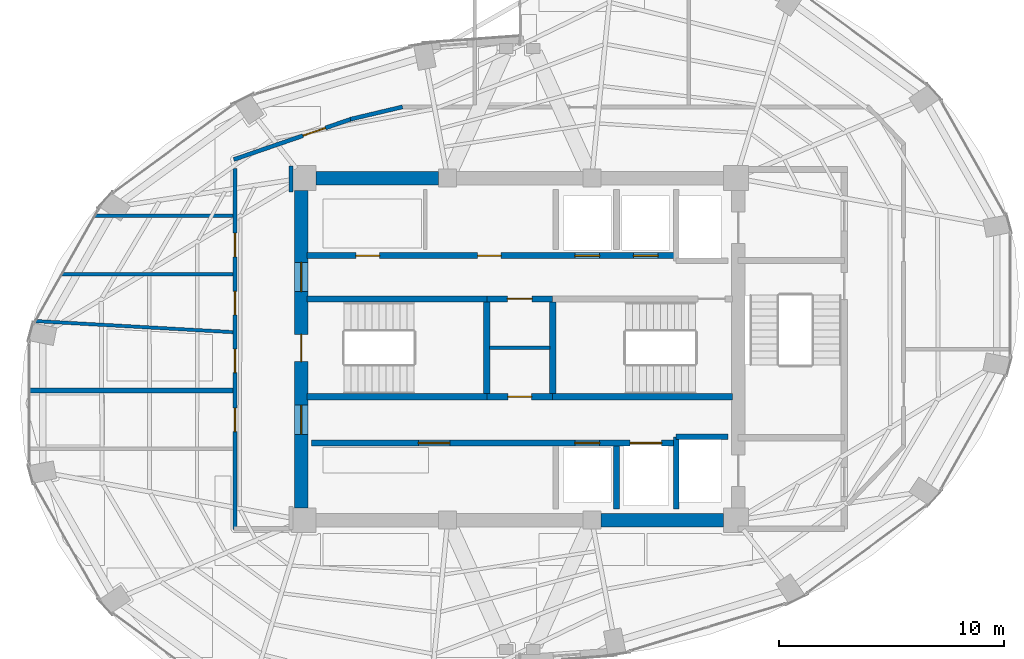
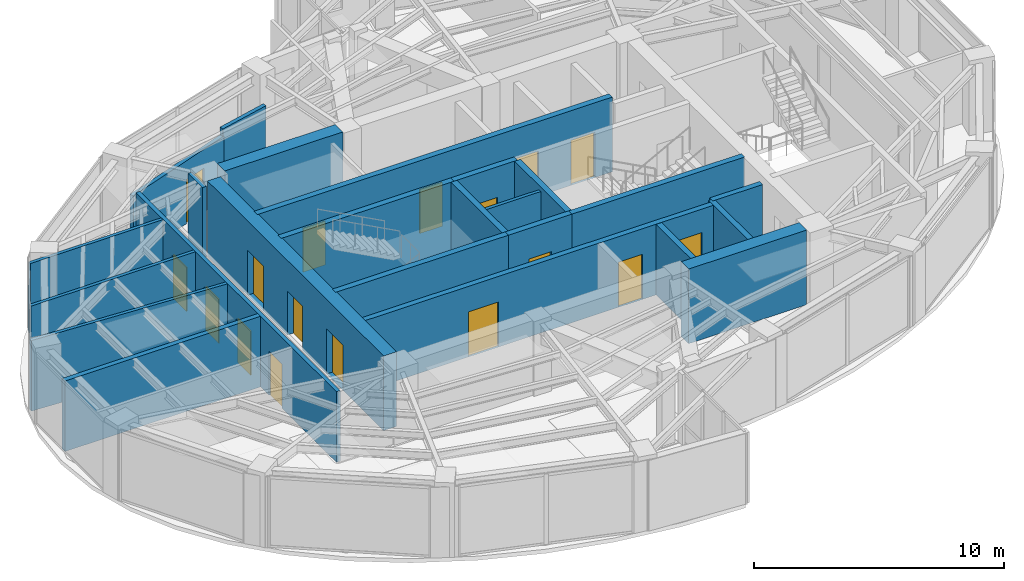
# One storey, part 19 of 23: 24 walls, 17 doors, 17 openings.
"""IFC4 building model written with IfcOpenShell, lengths in metres."""

from ifc_helpers import new_model, si_unit, direction, frame, frame_2d, origin, place, context, subcontext, project, spatial, rectangle, extrude, material, layer, layer_set, type_object, element, fill, save


model = new_model("IFC4")

# Units and contexts
model_context = context("Model", 3, precision=1e-05, world=origin(), true_north=direction((0.0, 1.0)))
body_context = subcontext(model_context, "Body", "Model", "MODEL_VIEW")
ifc_project = project(units=[si_unit("LENGTHUNIT", "METRE"), si_unit("AREAUNIT", "SQUARE_METRE"), si_unit("VOLUMEUNIT", "CUBIC_METRE"), si_unit("PLANEANGLEUNIT", "RADIAN"), si_unit("MASSUNIT", "GRAM", prefix="KILO")], contexts=[model_context])

# Site, building, storey
site_placement = place(None, origin())
site = spatial("IfcSite", under=ifc_project, at=site_placement, CompositionType="ELEMENT")
building_placement = place(site_placement, origin())
building = spatial("IfcBuilding", under=site, at=building_placement, Name="Lazwardi Medical Tower", CompositionType="ELEMENT")
storey_placement = place(building_placement, frame((0.0, 0.0, 205.77587890625)))
storey = spatial("IfcBuildingStorey", under=building, at=storey_placement, Name="L53", CompositionType="ELEMENT", Elevation=205.77587890625)

# Wall, opening, door
ifc_material_1 = material(Name="Fire-rated gypsum board on steel stud", Category="steel")
ifc_layer_1 = layer(ifc_material_1, 0.179931640625)
ifc_layer_set_1 = layer_set([ifc_layer_1], Name="Fire-rated gypsum board on steel stud")
wall_type_1 = type_object("IfcWallType", Name="WL-COR-180", PredefinedType="PARTITIONING", material=ifc_layer_set_1)
wall_1_placement = place(storey_placement, frame((23.294189453125, 36.422119140625, 0.0), z_axis=(0.0, 0.0, 1.0), x_axis=(0.945493277461, 0.325641616316, 0.0)))
wall_1 = element("IfcWall", 1, at=wall_1_placement, inside=storey, type_object=wall_type_1, Name="L53 Corridor partition 1", PredefinedType="PARTITIONING", context=body_context, shape_type="SweptSolid", body=[
    extrude(rectangle(XDim=5.5615234375, YDim=0.179931640625, at=frame_2d((2.78076171875, 0.0))), origin(), (0.0, 0.0, 1.0), 3.0732421875),
])
opening_1_placement = place(wall_1_placement, frame((3.255859375, 0.0, 0.0)))
opening_1 = element("IfcOpeningElement", 2, at=opening_1_placement, cuts=wall_1, Name="Opening D-L53-015", PredefinedType="OPENING", context=body_context, shape_type="SweptSolid", body=[
    extrude(rectangle(XDim=1.050048828125, YDim=2.14990234375, at=frame_2d((0.52490234375, 1.074951171875))), frame((0.0, 0.099853515625, 0.0), z_axis=(0.0, -1.0, 0.0), x_axis=(1.0, 0.0, 0.0)), (0.0, 0.0, 1.0), 0.199951171875),
])
ifc_material_2 = material(Name="Anti-microbial laminate hospital leaf")
door_type_1 = type_object("IfcDoorType", Name="DR-CLN-1050", OperationType="NOTDEFINED", PredefinedType="DOOR", material=ifc_material_2)
door_1_placement = place(opening_1_placement, origin())
door_1 = element("IfcDoor", 3, at=door_1_placement, inside=storey, type_object=door_type_1, Name="L53 Outpatient Consultation Suite Door 06", OperationType="SINGLE_SWING_RIGHT", OverallHeight=2.14990234375, OverallWidth=1.050048828125, PredefinedType="DOOR", context=body_context, shape_type="SweptSolid", body=[
    extrude(rectangle(XDim=1.050048828125, YDim=2.14990234375, at=frame_2d((0.52490234375, 1.074951171875))), frame((0.0, 0.02490234375, 0.0), z_axis=(0.0, -1.0, 0.0), x_axis=(1.0, 0.0, 0.0)), (0.0, 0.0, 1.0), 0.050048828125),
])
fill(opening_1, door_1)

# Walls
wall_2_placement = place(storey_placement, frame((28.475830078125, 38.2109375, 0.0), z_axis=(0.0, 0.0, 1.0), x_axis=(0.973030562203, 0.230676234189, 0.0)))
element("IfcWall", 4, at=wall_2_placement, inside=storey, type_object=wall_type_1, Name="L53 Corridor partition 2", PredefinedType="PARTITIONING", context=body_context, shape_type="SweptSolid", body=[
    extrude(rectangle(XDim=2.377197265625, YDim=0.179931640625, at=frame_2d((1.1884765625, 0.0))), origin(), (0.0, 0.0, 1.0), 3.4482421875),
])
wall_3_placement = place(storey_placement, frame((25.830078125, 36.139892578125, 0.0), z_axis=(0.0, 0.0, 1.0), x_axis=(0.0, -1.0, 0.0)))
element("IfcWall", 5, at=wall_3_placement, inside=storey, type_object=wall_type_1, Name="L53 Corridor partition 7", PredefinedType="PARTITIONING", context=body_context, shape_type="SweptSolid", body=[
    extrude(rectangle(XDim=1.14990234375, YDim=0.179931640625, at=frame_2d((0.574951171875, 0.0))), origin(), (0.0, 0.0, 1.0), 3.4482421875),
])

# Wall, openings, doors
wall_4_placement = place(storey_placement, frame((23.35009765625, 19.97998046875, 0.0), z_axis=(0.0, 0.0, 1.0), x_axis=(0.0, 1.0, 0.0)))
wall_4 = element("IfcWall", 6, at=wall_4_placement, inside=storey, type_object=wall_type_1, Name="L53 Corridor partition 10", PredefinedType="PARTITIONING", context=body_context, shape_type="SweptSolid", body=[
    extrude(rectangle(XDim=16.04248046875, YDim=0.179931640625, at=frame_2d((8.021240234375, 0.0))), origin(), (0.0, 0.0, 1.0), 3.4482421875),
])
opening_2_placement = place(wall_4_placement, frame((6.974853515625, 0.0, 0.0)))
opening_2 = element("IfcOpeningElement", 7, at=opening_2_placement, cuts=wall_4, Name="Opening D-L53-010", PredefinedType="OPENING", context=body_context, shape_type="SweptSolid", body=[
    extrude(rectangle(XDim=1.050048828125, YDim=2.14990234375, at=frame_2d((0.52490234375, 1.074951171875))), frame((0.0, 0.099853515625, 0.0), z_axis=(0.0, -1.0, 0.0), x_axis=(1.0, 0.0, 0.0)), (0.0, 0.0, 1.0), 0.199951171875),
])
opening_3_placement = place(wall_4_placement, frame((4.3525390625, 0.0, 0.0)))
opening_3 = element("IfcOpeningElement", 8, at=opening_3_placement, cuts=wall_4, Name="Opening D-L53-011", PredefinedType="OPENING", context=body_context, shape_type="SweptSolid", body=[
    extrude(rectangle(XDim=1.050048828125, YDim=2.14990234375, at=frame_2d((0.52490234375, 1.074951171875))), frame((0.0, 0.099853515625, 0.0), z_axis=(0.0, -1.0, 0.0), x_axis=(1.0, 0.0, 0.0)), (0.0, 0.0, 1.0), 0.199951171875),
])
opening_4_placement = place(wall_4_placement, frame((12.1201171875, 0.0, 0.0)))
opening_4 = element("IfcOpeningElement", 9, at=opening_4_placement, cuts=wall_4, Name="Opening D-L53-016", PredefinedType="OPENING", context=body_context, shape_type="SweptSolid", body=[
    extrude(rectangle(XDim=1.050048828125, YDim=2.14990234375, at=frame_2d((0.52490234375, 1.074951171875))), frame((0.0, 0.099853515625, 0.0), z_axis=(0.0, -1.0, 0.0), x_axis=(1.0, 0.0, 0.0)), (0.0, 0.0, 1.0), 0.199951171875),
])
opening_5_placement = place(wall_4_placement, frame((9.537109375, 0.0, 0.0)))
opening_5 = element("IfcOpeningElement", 10, at=opening_5_placement, cuts=wall_4, Name="Opening D-L53-017", PredefinedType="OPENING", context=body_context, shape_type="SweptSolid", body=[
    extrude(rectangle(XDim=1.050048828125, YDim=2.14990234375, at=frame_2d((0.52490234375, 1.074951171875))), frame((0.0, 0.099853515625, 0.0), z_axis=(0.0, -1.0, 0.0), x_axis=(1.0, 0.0, 0.0)), (0.0, 0.0, 1.0), 0.199951171875),
])
door_2_placement = place(opening_2_placement, origin())
door_2 = element("IfcDoor", 11, at=door_2_placement, inside=storey, type_object=door_type_1, Name="L53 Outpatient Consultation Suite Door 01", OperationType="SINGLE_SWING_LEFT", OverallHeight=2.14990234375, OverallWidth=1.050048828125, PredefinedType="DOOR", context=body_context, shape_type="SweptSolid", body=[
    extrude(rectangle(XDim=1.050048828125, YDim=2.14990234375, at=frame_2d((0.52490234375, 1.074951171875))), frame((0.0, 0.02490234375, 0.0), z_axis=(0.0, -1.0, 0.0), x_axis=(1.0, 0.0, 0.0)), (0.0, 0.0, 1.0), 0.050048828125),
])
fill(opening_2, door_2)
door_3_placement = place(opening_3_placement, origin())
door_3 = element("IfcDoor", 12, at=door_3_placement, inside=storey, type_object=door_type_1, Name="L53 Outpatient Clinic Door 02", OperationType="SINGLE_SWING_RIGHT", OverallHeight=2.14990234375, OverallWidth=1.050048828125, PredefinedType="DOOR", context=body_context, shape_type="SweptSolid", body=[
    extrude(rectangle(XDim=1.050048828125, YDim=2.14990234375, at=frame_2d((0.52490234375, 1.074951171875))), frame((0.0, 0.02490234375, 0.0), z_axis=(0.0, -1.0, 0.0), x_axis=(1.0, 0.0, 0.0)), (0.0, 0.0, 1.0), 0.050048828125),
])
fill(opening_3, door_3)
door_4_placement = place(opening_4_placement, origin())
door_4 = element("IfcDoor", 13, at=door_4_placement, inside=storey, type_object=door_type_1, Name="L53 Outpatient Consultation Suite Door 07", OperationType="SINGLE_SWING_LEFT", OverallHeight=2.14990234375, OverallWidth=1.050048828125, PredefinedType="DOOR", context=body_context, shape_type="SweptSolid", body=[
    extrude(rectangle(XDim=1.050048828125, YDim=2.14990234375, at=frame_2d((0.52490234375, 1.074951171875))), frame((0.0, 0.02490234375, 0.0), z_axis=(0.0, -1.0, 0.0), x_axis=(1.0, 0.0, 0.0)), (0.0, 0.0, 1.0), 0.050048828125),
])
fill(opening_4, door_4)
door_5_placement = place(opening_5_placement, origin())
door_5 = element("IfcDoor", 14, at=door_5_placement, inside=storey, type_object=door_type_1, Name="L53 Outpatient Consultation Suite Door 08", OperationType="SINGLE_SWING_RIGHT", OverallHeight=2.14990234375, OverallWidth=1.050048828125, PredefinedType="DOOR", context=body_context, shape_type="SweptSolid", body=[
    extrude(rectangle(XDim=1.050048828125, YDim=2.14990234375, at=frame_2d((0.52490234375, 1.074951171875))), frame((0.0, 0.02490234375, 0.0), z_axis=(0.0, -1.0, 0.0), x_axis=(1.0, 0.0, 0.0)), (0.0, 0.0, 1.0), 0.050048828125),
])
fill(opening_5, door_5)

ifc_material_3 = material(Name="Concrete C60/75", Category="concrete")
ifc_layer_2 = layer(ifc_material_3, 0.60009765625)
ifc_layer_set_2 = layer_set([ifc_layer_2], Name="Concrete C60/75")
wall_type_2 = type_object("IfcWallType", Name="WL-CORE-600", PredefinedType="SHEAR", material=ifc_layer_set_2)
wall_5_placement = place(storey_placement, frame((26.300048828125, 20.949951171875, 0.0), z_axis=(0.0, 0.0, 1.0), x_axis=(0.0, 1.0, 0.0)))
wall_5 = element("IfcWall", 15, at=wall_5_placement, inside=storey, type_object=wall_type_2, Name="Core wall CW-S3 west L53", PredefinedType="SHEAR", context=body_context, shape_type="SweptSolid", body=[
    extrude(rectangle(XDim=14.10009765625, YDim=0.60009765625, at=frame_2d((7.050048828125, 0.0))), origin(), (0.0, 0.0, 1.0), 3.648193359375),
])
opening_6_placement = place(wall_5_placement, frame((6.5, 0.0, 0.0)))
opening_6 = element("IfcOpeningElement", 16, at=opening_6_placement, cuts=wall_5, Name="Opening D-L53-018", PredefinedType="OPENING", context=body_context, shape_type="SweptSolid", body=[
    extrude(rectangle(XDim=1.199951171875, YDim=2.14990234375, at=frame_2d((0.60009765625, 1.074951171875))), frame((0.0, 0.31005859375, 0.0), z_axis=(0.0, -1.0, 0.0), x_axis=(1.0, 0.0, 0.0)), (0.0, 0.0, 1.0), 0.6201171875),
])
opening_7_placement = place(wall_5_placement, frame((9.60009765625, 0.0, 0.0)))
opening_7 = element("IfcOpeningElement", 17, at=opening_7_placement, cuts=wall_5, Name="Opening D-L53-008", PredefinedType="OPENING", context=body_context, shape_type="SweptSolid", body=[
    extrude(rectangle(XDim=1.300048828125, YDim=2.199951171875, at=frame_2d((0.64990234375, 1.10009765625))), frame((0.0, 0.31005859375, 0.0), z_axis=(0.0, -1.0, 0.0), x_axis=(1.0, 0.0, 0.0)), (0.0, 0.0, 1.0), 0.6201171875),
])
opening_8_placement = place(wall_5_placement, frame((3.260009765625, 0.0, 0.0)))
opening_8 = element("IfcOpeningElement", 18, at=opening_8_placement, cuts=wall_5, Name="Opening D-L53-009", PredefinedType="OPENING", context=body_context, shape_type="SweptSolid", body=[
    extrude(rectangle(XDim=1.300048828125, YDim=2.199951171875, at=frame_2d((0.64990234375, 1.10009765625))), frame((0.0, 0.31005859375, 0.0), z_axis=(0.0, -1.0, 0.0), x_axis=(1.0, 0.0, 0.0)), (0.0, 0.0, 1.0), 0.6201171875),
])
ifc_material_4 = material(Name="Fire-rated steel leaf and frame", Category="steel")
door_type_2 = type_object("IfcDoorType", Name="DR-FFL-1300", OperationType="NOTDEFINED", PredefinedType="DOOR", material=ifc_material_4)
door_6_placement = place(opening_7_placement, origin())
door_6 = element("IfcDoor", 19, at=door_6_placement, inside=storey, type_object=door_type_2, Name="L53 North Lift Lobby Door", OperationType="SINGLE_SWING_LEFT", OverallHeight=2.199951171875, OverallWidth=1.300048828125, PredefinedType="DOOR", context=body_context, shape_type="SweptSolid", body=[
    extrude(rectangle(XDim=1.300048828125, YDim=2.199951171875, at=frame_2d((0.64990234375, 1.10009765625))), frame((0.0, 0.02490234375, 0.0), z_axis=(0.0, -1.0, 0.0), x_axis=(1.0, 0.0, 0.0)), (0.0, 0.0, 1.0), 0.050048828125),
])
fill(opening_7, door_6)
door_7_placement = place(opening_8_placement, origin())
door_7 = element("IfcDoor", 20, at=door_7_placement, inside=storey, type_object=door_type_2, Name="L53 South Lift Lobby Door", OperationType="SINGLE_SWING_RIGHT", OverallHeight=2.199951171875, OverallWidth=1.300048828125, PredefinedType="DOOR", context=body_context, shape_type="SweptSolid", body=[
    extrude(rectangle(XDim=1.300048828125, YDim=2.199951171875, at=frame_2d((0.64990234375, 1.10009765625))), frame((0.0, 0.02490234375, 0.0), z_axis=(0.0, -1.0, 0.0), x_axis=(1.0, 0.0, 0.0)), (0.0, 0.0, 1.0), 0.050048828125),
])
fill(opening_8, door_7)
door_type_3 = type_object("IfcDoorType", Name="DR-STR-1200", OperationType="NOTDEFINED", PredefinedType="DOOR", material=ifc_material_4)
door_8_placement = place(opening_6_placement, origin())
door_8 = element("IfcDoor", 21, at=door_8_placement, inside=storey, type_object=door_type_3, Name="L53 Exit Stair ST1 Door", OperationType="SINGLE_SWING_LEFT", OverallHeight=2.14990234375, OverallWidth=1.199951171875, PredefinedType="DOOR", context=body_context, shape_type="SweptSolid", body=[
    extrude(rectangle(XDim=1.199951171875, YDim=2.14990234375, at=frame_2d((0.60009765625, 1.074951171875))), frame((0.0, 0.02490234375, 0.0), z_axis=(0.0, -1.0, 0.0), x_axis=(1.0, 0.0, 0.0)), (0.0, 0.0, 1.0), 0.050048828125),
])
fill(opening_6, door_8)

# Walls
for number, where, z_axis, x_axis, name in (
    (22, (26.949951171875, 35.60009765625, 0.0), (0.0, 0.0, 1.0), (1.0, 0.0, 0.0), "Core wall CW-S3 N1 L53"),
    (23, (39.60009765625, 20.39990234375, 0.0), (0.0, 0.0, 1.0), (1.0, 0.0, 0.0), "Core wall CW-S3 S3 L53"),
):
    element("IfcWall", number, at=place(storey_placement, frame(where, z_axis=z_axis, x_axis=x_axis)), inside=storey, type_object=wall_type_2, Name=name, PredefinedType="SHEAR", context=body_context, shape_type="SweptSolid", body=[
        extrude(rectangle(XDim=5.449951171875, YDim=0.60009765625, at=frame_2d((2.72509765625, 0.0))), origin(), (0.0, 0.0, 1.0), 3.648193359375),
    ])

# Wall, openings, doors
ifc_material_5 = material(Name="Autoclaved aerated concrete blockwork", Category="masonry")
ifc_layer_3 = layer(ifc_material_5, 0.25)
ifc_layer_set_3 = layer_set([ifc_layer_3], Name="Autoclaved aerated concrete blockwork")
wall_type_3 = type_object("IfcWallType", Name="WL-SHAFT-250", PredefinedType="SOLIDWALL", material=ifc_layer_set_3)
wall_6_placement = place(storey_placement, frame((26.75, 23.830078125, 0.0), z_axis=(0.0, 0.0, 1.0), x_axis=(1.0, 0.0, 0.0)))
wall_6 = element("IfcWall", 24, at=wall_6_placement, inside=storey, type_object=wall_type_3, Name="L53 South lift bank front wall", PredefinedType="SOLIDWALL", context=body_context, shape_type="SweptSolid", body=[
    extrude(rectangle(XDim=16.199951171875, YDim=0.25, at=frame_2d((8.10009765625, 0.0))), origin(), (0.0, 0.0, 1.0), 3.4482421875),
])
opening_9_placement = place(wall_6_placement, frame((4.75, 0.0, 0.0)))
opening_9 = element("IfcOpeningElement", 25, at=opening_9_placement, cuts=wall_6, Name="Opening D-L53-005", PredefinedType="OPENING", context=body_context, shape_type="SweptSolid", body=[
    extrude(rectangle(XDim=1.39990234375, YDim=2.199951171875, at=frame_2d((0.699951171875, 1.10009765625))), frame((0.0, 0.135009765625, 0.0), z_axis=(0.0, -1.0, 0.0), x_axis=(1.0, 0.0, 0.0)), (0.0, 0.0, 1.0), 0.27001953125),
])
opening_10_placement = place(wall_6_placement, frame((11.699951171875, 0.0, 0.0)))
opening_10 = element("IfcOpeningElement", 26, at=opening_10_placement, cuts=wall_6, Name="Opening LD-L53-006", PredefinedType="OPENING", context=body_context, shape_type="SweptSolid", body=[
    extrude(rectangle(XDim=1.10009765625, YDim=2.199951171875, at=frame_2d((0.550048828125, 1.10009765625))), frame((0.0, 0.135009765625, 0.0), z_axis=(0.0, -1.0, 0.0), x_axis=(1.0, 0.0, 0.0)), (0.0, 0.0, 1.0), 0.27001953125),
])
opening_11_placement = place(wall_6_placement, frame((14.14990234375, 0.0, 0.0)))
opening_11 = element("IfcOpeningElement", 27, at=opening_11_placement, cuts=wall_6, Name="Opening LD-L53-003", PredefinedType="OPENING", context=body_context, shape_type="SweptSolid", body=[
    extrude(rectangle(XDim=1.39990234375, YDim=2.300048828125, at=frame_2d((0.699951171875, 1.14990234375))), frame((0.0, 0.135009765625, 0.0), z_axis=(0.0, -1.0, 0.0), x_axis=(1.0, 0.0, 0.0)), (0.0, 0.0, 1.0), 0.27001953125),
])
door_type_4 = type_object("IfcDoorType", Name="DR-BED-1400", OperationType="NOTDEFINED", PredefinedType="DOOR", material=ifc_material_2)
door_9_placement = place(opening_9_placement, origin())
door_9 = element("IfcDoor", 28, at=door_9_placement, inside=storey, type_object=door_type_4, Name="L53 Core Dialysis Door", OperationType="SINGLE_SWING_LEFT", OverallHeight=2.199951171875, OverallWidth=1.39990234375, PredefinedType="DOOR", context=body_context, shape_type="SweptSolid", body=[
    extrude(rectangle(XDim=1.39990234375, YDim=2.199951171875, at=frame_2d((0.699951171875, 1.10009765625))), frame((0.0, 0.02490234375, 0.0), z_axis=(0.0, -1.0, 0.0), x_axis=(1.0, 0.0, 0.0)), (0.0, 0.0, 1.0), 0.050048828125),
])
fill(opening_9, door_9)
ifc_material_6 = material(Name="Brushed bronze stainless steel landing door", Category="steel")
door_type_5 = type_object("IfcDoorType", Name="DR-LFT-1100", OperationType="NOTDEFINED", PredefinedType="DOOR", material=ifc_material_6)
door_10_placement = place(opening_10_placement, origin())
door_10 = element("IfcDoor", 29, at=door_10_placement, inside=storey, type_object=door_type_5, Name="L53 Lift Landing Door PL-11", OperationType="SLIDING_TO_LEFT", OverallHeight=2.199951171875, OverallWidth=1.10009765625, PredefinedType="DOOR", context=body_context, shape_type="SweptSolid", body=[
    extrude(rectangle(XDim=1.10009765625, YDim=2.199951171875, at=frame_2d((0.550048828125, 1.10009765625))), frame((0.0, 0.02490234375, 0.0), z_axis=(0.0, -1.0, 0.0), x_axis=(1.0, 0.0, 0.0)), (0.0, 0.0, 1.0), 0.050048828125),
])
fill(opening_10, door_10)
ifc_material_7 = material(Name="Brushed stainless steel bed-lift landing door", Category="steel")
door_type_6 = type_object("IfcDoorType", Name="DR-LFT-1400", OperationType="NOTDEFINED", PredefinedType="DOOR", material=ifc_material_7)
door_11_placement = place(opening_11_placement, origin())
door_11 = element("IfcDoor", 30, at=door_11_placement, inside=storey, type_object=door_type_6, Name="L53 Lift Landing Door FL-03", OperationType="SLIDING_TO_LEFT", OverallHeight=2.300048828125, OverallWidth=1.39990234375, PredefinedType="DOOR", context=body_context, shape_type="SweptSolid", body=[
    extrude(rectangle(XDim=1.39990234375, YDim=2.300048828125, at=frame_2d((0.699951171875, 1.14990234375))), frame((0.0, 0.02490234375, 0.0), z_axis=(0.0, -1.0, 0.0), x_axis=(1.0, 0.0, 0.0)), (0.0, 0.0, 1.0), 0.050048828125),
])
fill(opening_11, door_11)

# Walls
wall_7_placement = place(storey_placement, frame((42.949951171875, 20.89990234375, 0.0), z_axis=(0.0, 0.0, 1.0), x_axis=(0.0, 1.0, 0.0)))
element("IfcWall", 31, at=wall_7_placement, inside=storey, type_object=wall_type_3, Name="L53 FL-02 West shaft wall", PredefinedType="SOLIDWALL", context=body_context, shape_type="SweptSolid", body=[
    extrude(rectangle(XDim=3.2001953125, YDim=0.25, at=frame_2d((1.60009765625, 0.0))), origin(), (0.0, 0.0, 1.0), 3.4482421875),
])
wall_8_placement = place(storey_placement, frame((42.949951171875, 24.10009765625, 0.0), z_axis=(0.0, 0.0, 1.0), x_axis=(1.0, 0.0, 0.0)))
element("IfcWall", 32, at=wall_8_placement, inside=storey, type_object=wall_type_3, Name="L53 FL-02 North shaft wall", PredefinedType="SOLIDWALL", context=body_context, shape_type="SweptSolid", body=[
    extrude(rectangle(XDim=2.300048828125, YDim=0.25, at=frame_2d((1.14990234375, 0.0))), origin(), (0.0, 0.0, 1.0), 3.4482421875),
])
wall_9_placement = place(storey_placement, frame((40.300048828125, 20.89990234375, 0.0), z_axis=(0.0, 0.0, 1.0), x_axis=(0.0, 1.0, 0.0)))
element("IfcWall", 33, at=wall_9_placement, inside=storey, type_object=wall_type_3, Name="L53 South hoistway divider", PredefinedType="SOLIDWALL", context=body_context, shape_type="SweptSolid", body=[
    extrude(rectangle(XDim=2.800048828125, YDim=0.25, at=frame_2d((1.39990234375, 0.0))), origin(), (0.0, 0.0, 1.0), 3.4482421875),
])
ifc_layer_4 = layer(ifc_material_1, 0.219970703125)
ifc_layer_set_4 = layer_set([ifc_layer_4], Name="Fire-rated gypsum board on steel stud")
wall_type_4 = type_object("IfcWallType", Name="WL-SMK-220", PredefinedType="PARTITIONING", material=ifc_layer_set_4)
wall_10_placement = place(storey_placement, frame((14.228271484375, 26.169921875, 0.0), z_axis=(0.0, 0.0, 1.0), x_axis=(1.0, 0.0, 0.0)))
element("IfcWall", 34, at=wall_10_placement, inside=storey, type_object=wall_type_4, Name="L53 Room partition 2", PredefinedType="PARTITIONING", context=body_context, shape_type="SweptSolid", body=[
    extrude(rectangle(XDim=9.03173828125, YDim=0.219970703125, at=frame_2d((4.515869140625, 0.0))), origin(), (0.0, 0.0, 1.0), 3.4482421875),
])
ifc_material_8 = material(Name="Concrete C50/60", Category="concrete")
ifc_layer_5 = layer(ifc_material_8, 0.27001953125)
ifc_layer_set_5 = layer_set([ifc_layer_5], Name="Concrete C50/60")
wall_type_5 = type_object("IfcWallType", Name="WL-STR-250", PredefinedType="SHEAR", material=ifc_layer_set_5)
wall_11_placement = place(storey_placement, frame((26.550048828125, 30.235107421875, 0.0), z_axis=(0.0, 0.0, 1.0), x_axis=(1.0, 0.0, 0.0)))
element("IfcWall", 35, at=wall_11_placement, inside=storey, type_object=wall_type_5, Name="L53 ST1 North shear shaft wall SW-S1", PredefinedType="SHEAR", context=body_context, shape_type="SweptSolid", body=[
    extrude(rectangle(XDim=7.98486328125, YDim=0.27001953125, at=frame_2d((3.992431640625, 0.0))), origin(), (0.0, 0.0, 1.0), 3.648193359375),
])

# Wall, opening, door
wall_12_placement = place(storey_placement, frame((34.534912109375, 30.235107421875, 0.0), z_axis=(0.0, 0.0, 1.0), x_axis=(1.0, 0.0, 0.0)))
wall_12 = element("IfcWall", 36, at=wall_12_placement, inside=storey, type_object=wall_type_5, Name="L53 Core service North shear wall SW-S1", PredefinedType="SHEAR", context=body_context, shape_type="SweptSolid", body=[
    extrude(rectangle(XDim=2.93017578125, YDim=0.27001953125, at=frame_2d((1.465087890625, 0.0))), origin(), (0.0, 0.0, 1.0), 3.648193359375),
])
opening_12_placement = place(wall_12_placement, frame((0.9150390625, 0.0, 0.0)))
opening_12 = element("IfcOpeningElement", 37, at=opening_12_placement, cuts=wall_12, Name="Opening D-L53-002", PredefinedType="OPENING", context=body_context, shape_type="SweptSolid", body=[
    extrude(rectangle(XDim=1.10009765625, YDim=2.14990234375, at=frame_2d((0.550048828125, 1.074951171875))), frame((0.0, 0.14501953125, 0.0), z_axis=(0.0, -1.0, 0.0), x_axis=(1.0, 0.0, 0.0)), (0.0, 0.0, 1.0), 0.2900390625),
])
door_type_7 = type_object("IfcDoorType", Name="DR-PLT-1100", OperationType="NOTDEFINED", PredefinedType="DOOR", material=ifc_material_4)
door_12_placement = place(opening_12_placement, origin())
door_12 = element("IfcDoor", 38, at=door_12_placement, inside=storey, type_object=door_type_7, Name="L53 Electrical Room Door", OperationType="SINGLE_SWING_RIGHT", OverallHeight=2.14990234375, OverallWidth=1.10009765625, PredefinedType="DOOR", context=body_context, shape_type="SweptSolid", body=[
    extrude(rectangle(XDim=1.10009765625, YDim=2.14990234375, at=frame_2d((0.550048828125, 1.074951171875))), frame((0.0, 0.02490234375, 0.0), z_axis=(0.0, -1.0, 0.0), x_axis=(1.0, 0.0, 0.0)), (0.0, 0.0, 1.0), 0.050048828125),
])
fill(opening_12, door_12)

# Wall
wall_13_placement = place(storey_placement, frame((26.550048828125, 25.885009765625, 0.0), z_axis=(0.0, 0.0, 1.0), x_axis=(1.0, 0.0, 0.0)))
element("IfcWall", 39, at=wall_13_placement, inside=storey, type_object=wall_type_5, Name="L53 ST1 South shear shaft wall SW-S1", PredefinedType="SHEAR", context=body_context, shape_type="SweptSolid", body=[
    extrude(rectangle(XDim=7.98486328125, YDim=0.27001953125, at=frame_2d((3.992431640625, 0.0))), origin(), (0.0, 0.0, 1.0), 3.648193359375),
])

# Wall, opening, door
wall_14_placement = place(storey_placement, frame((34.534912109375, 25.885009765625, 0.0), z_axis=(0.0, 0.0, 1.0), x_axis=(1.0, 0.0, 0.0)))
wall_14 = element("IfcWall", 40, at=wall_14_placement, inside=storey, type_object=wall_type_5, Name="L53 Core service South shear wall SW-S1", PredefinedType="SHEAR", context=body_context, shape_type="SweptSolid", body=[
    extrude(rectangle(XDim=2.93017578125, YDim=0.27001953125, at=frame_2d((1.465087890625, 0.0))), origin(), (0.0, 0.0, 1.0), 3.648193359375),
])
opening_13_placement = place(wall_14_placement, frame((0.93994140625, 0.0, 0.0)))
opening_13 = element("IfcOpeningElement", 41, at=opening_13_placement, cuts=wall_14, Name="Opening D-L53-001", PredefinedType="OPENING", context=body_context, shape_type="SweptSolid", body=[
    extrude(rectangle(XDim=1.050048828125, YDim=2.14990234375, at=frame_2d((0.52490234375, 1.074951171875))), frame((0.0, 0.14501953125, 0.0), z_axis=(0.0, -1.0, 0.0), x_axis=(1.0, 0.0, 0.0)), (0.0, 0.0, 1.0), 0.2900390625),
])
door_13_placement = place(opening_13_placement, origin())
door_13 = element("IfcDoor", 42, at=door_13_placement, inside=storey, type_object=door_type_1, Name="L53 Dirty Sluice Door", OperationType="SINGLE_SWING_LEFT", OverallHeight=2.14990234375, OverallWidth=1.050048828125, PredefinedType="DOOR", context=body_context, shape_type="SweptSolid", body=[
    extrude(rectangle(XDim=1.050048828125, YDim=2.14990234375, at=frame_2d((0.52490234375, 1.074951171875))), frame((0.0, 0.02490234375, 0.0), z_axis=(0.0, -1.0, 0.0), x_axis=(1.0, 0.0, 0.0)), (0.0, 0.0, 1.0), 0.050048828125),
])
fill(opening_13, door_13)

# Walls
wall_15_placement = place(storey_placement, frame((37.465087890625, 25.885009765625, 0.0), z_axis=(0.0, 0.0, 1.0), x_axis=(1.0, 0.0, 0.0)))
element("IfcWall", 43, at=wall_15_placement, inside=storey, type_object=wall_type_5, Name="L53 ST2 South shear shaft wall SW-S1", PredefinedType="SHEAR", context=body_context, shape_type="SweptSolid", body=[
    extrude(rectangle(XDim=7.98486328125, YDim=0.27001953125, at=frame_2d((3.992431640625, 0.0))), origin(), (0.0, 0.0, 1.0), 3.648193359375),
])
for number, where, z_axis, x_axis, name in (
    (44, (34.534912109375, 26.02001953125, 0.0), (0.0, 0.0, 1.0), (0.0, 1.0, 0.0), "L53 ST1 East shear shaft wall SW-S1"),
    (45, (37.465087890625, 26.02001953125, 0.0), (0.0, 0.0, 1.0), (0.0, 1.0, 0.0), "L53 ST2 West shear shaft wall SW-S1"),
):
    element("IfcWall", number, at=place(storey_placement, frame(where, z_axis=z_axis, x_axis=x_axis)), inside=storey, type_object=wall_type_5, Name=name, PredefinedType="SHEAR", context=body_context, shape_type="SweptSolid", body=[
        extrude(rectangle(XDim=4.080078125, YDim=0.27001953125, at=frame_2d((2.0400390625, 0.0))), origin(), (0.0, 0.0, 1.0), 3.648193359375),
    ])

# Wall, openings, doors
wall_16_placement = place(storey_placement, frame((26.550048828125, 32.14990234375, 0.0), z_axis=(0.0, 0.0, 1.0), x_axis=(1.0, 0.0, 0.0)))
wall_16 = element("IfcWall", 46, at=wall_16_placement, inside=storey, type_object=wall_type_5, Name="L53 North lift bank shear wall SW-S1", PredefinedType="SHEAR", context=body_context, shape_type="SweptSolid", body=[
    extrude(rectangle(XDim=16.39990234375, YDim=0.27001953125, at=frame_2d((8.199951171875, 0.0))), origin(), (0.0, 0.0, 1.0), 3.648193359375),
])
opening_14_placement = place(wall_16_placement, frame((2.175048828125, 0.0, 0.0)))
opening_14 = element("IfcOpeningElement", 47, at=opening_14_placement, cuts=wall_16, Name="Opening D-L53-003", PredefinedType="OPENING", context=body_context, shape_type="SweptSolid", body=[
    extrude(rectangle(XDim=1.050048828125, YDim=2.14990234375, at=frame_2d((0.52490234375, 1.074951171875))), frame((0.0, 0.14501953125, 0.0), z_axis=(0.0, -1.0, 0.0), x_axis=(1.0, 0.0, 0.0)), (0.0, 0.0, 1.0), 0.2900390625),
])
opening_15_placement = place(wall_16_placement, frame((7.574951171875, 0.0, 0.0)))
opening_15 = element("IfcOpeningElement", 48, at=opening_15_placement, cuts=wall_16, Name="Opening D-L53-004", PredefinedType="OPENING", context=body_context, shape_type="SweptSolid", body=[
    extrude(rectangle(XDim=1.050048828125, YDim=2.14990234375, at=frame_2d((0.52490234375, 1.074951171875))), frame((0.0, 0.14501953125, 0.0), z_axis=(0.0, -1.0, 0.0), x_axis=(1.0, 0.0, 0.0)), (0.0, 0.0, 1.0), 0.2900390625),
])
opening_16_placement = place(wall_16_placement, frame((11.89990234375, 0.0, 0.0)))
opening_16 = element("IfcOpeningElement", 49, at=opening_16_placement, cuts=wall_16, Name="Opening LD-L53-004", PredefinedType="OPENING", context=body_context, shape_type="SweptSolid", body=[
    extrude(rectangle(XDim=1.10009765625, YDim=2.199951171875, at=frame_2d((0.550048828125, 1.10009765625))), frame((0.0, 0.14501953125, 0.0), z_axis=(0.0, -1.0, 0.0), x_axis=(1.0, 0.0, 0.0)), (0.0, 0.0, 1.0), 0.2900390625),
])
opening_17_placement = place(wall_16_placement, frame((14.5, 0.0, 0.0)))
opening_17 = element("IfcOpeningElement", 50, at=opening_17_placement, cuts=wall_16, Name="Opening LD-L53-005", PredefinedType="OPENING", context=body_context, shape_type="SweptSolid", body=[
    extrude(rectangle(XDim=1.10009765625, YDim=2.199951171875, at=frame_2d((0.550048828125, 1.10009765625))), frame((0.0, 0.14501953125, 0.0), z_axis=(0.0, -1.0, 0.0), x_axis=(1.0, 0.0, 0.0)), (0.0, 0.0, 1.0), 0.2900390625),
])
door_14_placement = place(opening_14_placement, origin())
door_14 = element("IfcDoor", 51, at=door_14_placement, inside=storey, type_object=door_type_1, Name="L53 Core Consult Door", OperationType="SINGLE_SWING_LEFT", OverallHeight=2.14990234375, OverallWidth=1.050048828125, PredefinedType="DOOR", context=body_context, shape_type="SweptSolid", body=[
    extrude(rectangle(XDim=1.050048828125, YDim=2.14990234375, at=frame_2d((0.52490234375, 1.074951171875))), frame((0.0, 0.02490234375, 0.0), z_axis=(0.0, -1.0, 0.0), x_axis=(1.0, 0.0, 0.0)), (0.0, 0.0, 1.0), 0.050048828125),
])
fill(opening_14, door_14)
door_15_placement = place(opening_15_placement, origin())
door_15 = element("IfcDoor", 52, at=door_15_placement, inside=storey, type_object=door_type_1, Name="L53 Core Pharmacy Door", OperationType="SINGLE_SWING_RIGHT", OverallHeight=2.14990234375, OverallWidth=1.050048828125, PredefinedType="DOOR", context=body_context, shape_type="SweptSolid", body=[
    extrude(rectangle(XDim=1.050048828125, YDim=2.14990234375, at=frame_2d((0.52490234375, 1.074951171875))), frame((0.0, 0.02490234375, 0.0), z_axis=(0.0, -1.0, 0.0), x_axis=(1.0, 0.0, 0.0)), (0.0, 0.0, 1.0), 0.050048828125),
])
fill(opening_15, door_15)
door_16_placement = place(opening_16_placement, origin())
door_16 = element("IfcDoor", 53, at=door_16_placement, inside=storey, type_object=door_type_5, Name="L53 Lift Landing Door PL-09", OperationType="SLIDING_TO_LEFT", OverallHeight=2.199951171875, OverallWidth=1.10009765625, PredefinedType="DOOR", context=body_context, shape_type="SweptSolid", body=[
    extrude(rectangle(XDim=1.10009765625, YDim=2.199951171875, at=frame_2d((0.550048828125, 1.10009765625))), frame((0.0, 0.02490234375, 0.0), z_axis=(0.0, -1.0, 0.0), x_axis=(1.0, 0.0, 0.0)), (0.0, 0.0, 1.0), 0.050048828125),
])
fill(opening_16, door_16)
door_17_placement = place(opening_17_placement, origin())
door_17 = element("IfcDoor", 54, at=door_17_placement, inside=storey, type_object=door_type_5, Name="L53 Lift Landing Door PL-10", OperationType="SLIDING_TO_LEFT", OverallHeight=2.199951171875, OverallWidth=1.10009765625, PredefinedType="DOOR", context=body_context, shape_type="SweptSolid", body=[
    extrude(rectangle(XDim=1.10009765625, YDim=2.199951171875, at=frame_2d((0.550048828125, 1.10009765625))), frame((0.0, 0.02490234375, 0.0), z_axis=(0.0, -1.0, 0.0), x_axis=(1.0, 0.0, 0.0)), (0.0, 0.0, 1.0), 0.050048828125),
])
fill(opening_17, door_17)

# Walls
ifc_material_9 = material(Name="Acoustic gypsum board partition")
ifc_layer_6 = layer(ifc_material_9, 0.14990234375)
ifc_layer_set_6 = layer_set([ifc_layer_6], Name="Acoustic gypsum board partition")
wall_type_6 = type_object("IfcWallType", Name="WL-WRD-150", PredefinedType="PARTITIONING", material=ifc_layer_set_6)
wall_17_placement = place(storey_placement, frame((34.64990234375, 28.06005859375, 0.0), z_axis=(0.0, 0.0, 1.0), x_axis=(1.0, 0.0, 0.0)))
element("IfcWall", 55, at=wall_17_placement, inside=storey, type_object=wall_type_6, Name="L53 Core service divider", PredefinedType="PARTITIONING", context=body_context, shape_type="SweptSolid", body=[
    extrude(rectangle(XDim=2.7001953125, YDim=0.14990234375, at=frame_2d((1.35009765625, 0.0))), origin(), (0.0, 0.0, 1.0), 3.4482421875),
])
wall_18_placement = place(storey_placement, frame((14.476806640625, 29.24658203125, 0.0), z_axis=(0.0, 0.0, 1.0), x_axis=(0.998432044673, -0.05597724689, 0.0)))
element("IfcWall", 56, at=wall_18_placement, inside=storey, type_object=wall_type_6, Name="L53 Room partition 3", PredefinedType="PARTITIONING", context=body_context, shape_type="SweptSolid", body=[
    extrude(rectangle(XDim=8.796875, YDim=0.14990234375, at=frame_2d((4.3984375, 0.0))), origin(), (0.0, 0.0, 1.0), 3.4482421875),
])
wall_19_placement = place(storey_placement, frame((15.668701171875, 31.330078125, 0.0), z_axis=(0.0, 0.0, 1.0), x_axis=(1.0, 0.0, 0.0)))
element("IfcWall", 57, at=wall_19_placement, inside=storey, type_object=wall_type_6, Name="L53 Room partition 4", PredefinedType="PARTITIONING", context=body_context, shape_type="SweptSolid", body=[
    extrude(rectangle(XDim=7.59130859375, YDim=0.14990234375, at=frame_2d((3.795654296875, 0.0))), origin(), (0.0, 0.0, 1.0), 3.4482421875),
])
wall_20_placement = place(storey_placement, frame((17.132080078125, 33.919921875, 0.0), z_axis=(0.0, 0.0, 1.0), x_axis=(1.0, 0.0, 0.0)))
element("IfcWall", 58, at=wall_20_placement, inside=storey, type_object=wall_type_6, Name="L53 Room partition 5", PredefinedType="PARTITIONING", context=body_context, shape_type="SweptSolid", body=[
    extrude(rectangle(XDim=6.1279296875, YDim=0.14990234375, at=frame_2d((3.06396484375, 0.0))), origin(), (0.0, 0.0, 1.0), 3.4482421875),
])

save(model, "model.ifc")
